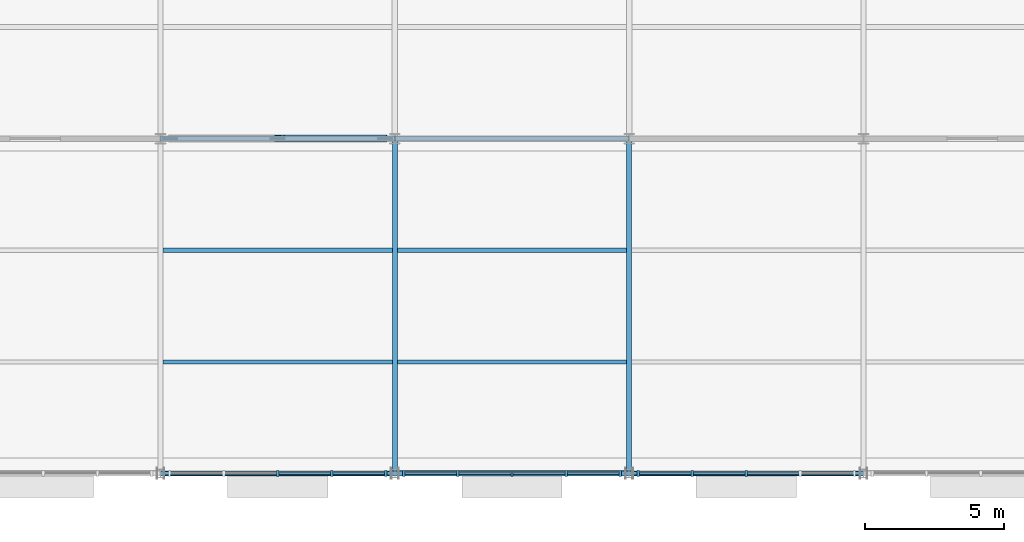
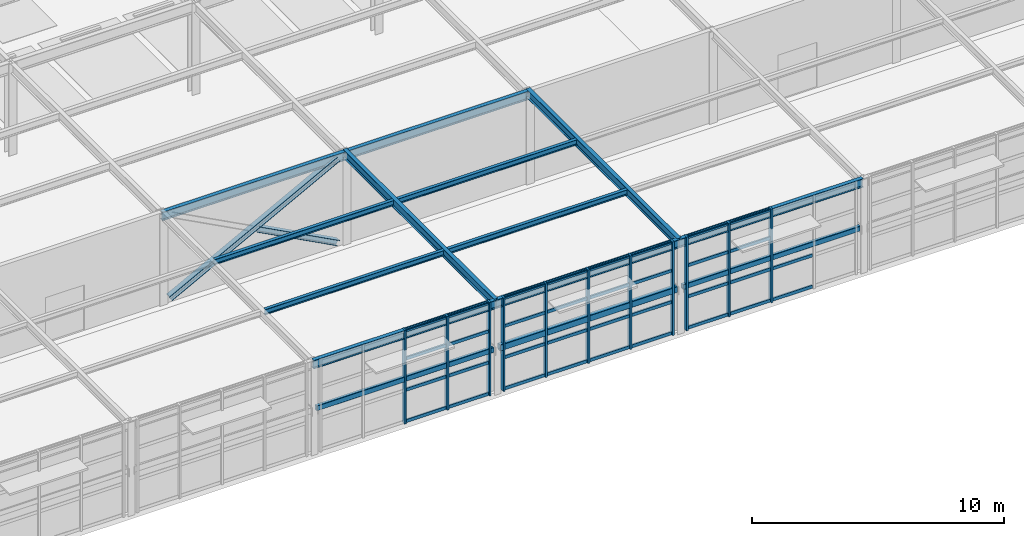
# One storey, part 21 of 82: 47 members, 14 beams, 3 elements without a shape of their own.
"""IFC4 building model written with IfcOpenShell, lengths in metres."""

from ifc_helpers import new_model, si_unit, direction, frame, origin, origin_2d, place, context, subcontext, project, spatial, rectangle, hollow_rectangle, i_section, extrude, material, layer, layer_set, material_profile, profile_set, type_object, element, aggregate, save


model = new_model("IFC4")

# Units and contexts
model_context = context("Model", 3, precision=1e-05, world=origin(), true_north=direction((0.0, 1.0)))
body_context = subcontext(model_context, "Body", "Model", "MODEL_VIEW")
ifc_project = project(units=[si_unit("LENGTHUNIT", "METRE"), si_unit("AREAUNIT", "SQUARE_METRE"), si_unit("VOLUMEUNIT", "CUBIC_METRE"), si_unit("PLANEANGLEUNIT", "RADIAN"), si_unit("MASSUNIT", "GRAM", prefix="KILO")], contexts=[model_context])

# Site, building, storey
site_placement = place(None, origin())
site = spatial("IfcSite", under=ifc_project, at=site_placement, CompositionType="ELEMENT")
building_placement = place(site_placement, origin())
building = spatial("IfcBuilding", under=site, at=building_placement, Name="Sitalva Quay Ferry Terminal", CompositionType="ELEMENT")
storey_placement = place(building_placement, frame((0.0, 0.0, 5.39990234375)))
storey = spatial("IfcBuildingStorey", under=building, at=storey_placement, Name="L02", CompositionType="ELEMENT", Elevation=5.39990234375)

# Beams
ifc_material_1 = material(Name="Structural Steel S355JR", Category="steel")
ifc_material_profile_1 = material_profile(ifc_material_1, i_section(OverallWidth=0.178955078125, OverallDepth=0.409912109375, WebThickness=0.0087890625, FlangeThickness=0.014404296875, FilletRadius=0.012939453125, at=origin_2d()), Name="W410x67")
ifc_profile_set_1 = profile_set([ifc_material_profile_1], Name="Structural Steel S355JR")
beam_type_1 = type_object("IfcBeamType", Name="Beam_W410x67", PredefinedType="BEAM", material=ifc_profile_set_1)
for number, where, z_axis, x_axis, name in (
    (1, (109.199951171875, 6.0, 4.335205078125), (0.0, 1.0, 0.0), (-1.0, 0.0, 0.0), "L02 Primary Y girder 0731"),
    (2, (117.60009765625, 6.0, 4.335205078125), (0.0, 1.0, 0.0), (-1.0, 0.0, 0.0), "L02 Primary Y girder 0732"),
):
    element("IfcBeam", number, at=place(storey_placement, frame(where, z_axis=z_axis, x_axis=x_axis)), inside=storey, type_object=beam_type_1, Name=name, PredefinedType="BEAM", context=body_context, shape_type="SweptSolid", body=[
        extrude(i_section(OverallWidth=0.178955078125, OverallDepth=0.409912109375, WebThickness=0.0087890625, FlangeThickness=0.014404296875, FilletRadius=0.012939453125, at=origin_2d()), origin(), (0.0, 0.0, 1.0), 12.0),
    ])
ifc_material_2 = material(Name="Structural Steel S355JR", Category="steel")
ifc_material_profile_2 = material_profile(ifc_material_2, i_section(OverallWidth=0.180908203125, OverallDepth=0.4169921875, WebThickness=0.010986328125, FlangeThickness=0.018310546875, FilletRadius=0.012939453125, at=origin_2d()), Name="W410x85")
ifc_profile_set_2 = profile_set([ifc_material_profile_2], Name="Structural Steel S355JR")
beam_type_2 = type_object("IfcBeamType", Name="Beam_W410x85", PredefinedType="BEAM", material=ifc_profile_set_2)
beam_1_placement = place(storey_placement, frame((100.800048828125, 6.0, 4.33154296875), z_axis=(1.0, 0.0, 0.0), x_axis=(0.0, 1.0, 0.0)))
element("IfcBeam", 3, at=beam_1_placement, inside=storey, type_object=beam_type_2, Name="L02 Primary X girder 0711", PredefinedType="BEAM", context=body_context, shape_type="SweptSolid", body=[
    extrude(i_section(OverallWidth=0.180908203125, OverallDepth=0.4169921875, WebThickness=0.010986328125, FlangeThickness=0.018310546875, FilletRadius=0.012939453125, at=origin_2d()), origin(), (0.0, 0.0, 1.0), 8.39990234375),
])
beam_2_placement = place(storey_placement, frame((109.199951171875, 6.0, 4.33154296875), z_axis=(1.0, 0.0, 0.0), x_axis=(0.0, 1.0, 0.0)))
element("IfcBeam", 4, at=beam_2_placement, inside=storey, type_object=beam_type_2, Name="L02 Primary X girder 0712", PredefinedType="BEAM", context=body_context, shape_type="SweptSolid", body=[
    extrude(i_section(OverallWidth=0.180908203125, OverallDepth=0.4169921875, WebThickness=0.010986328125, FlangeThickness=0.018310546875, FilletRadius=0.012939453125, at=origin_2d()), origin(), (0.0, 0.0, 1.0), 8.400146484375),
])
for number, where, z_axis, x_axis, name in (
    (5, (117.60009765625, 6.0, 4.33154296875), (1.0, 0.0, 0.0), (0.0, 1.0, 0.0), "L02 Primary X girder 0713"),
    (6, (100.800048828125, 18.0, 4.24169921875), (1.0, 0.0, 0.0), (0.0, 1.0, 0.0), "L02 Primary X girder 0721"),
):
    element("IfcBeam", number, at=place(storey_placement, frame(where, z_axis=z_axis, x_axis=x_axis)), inside=storey, type_object=beam_type_2, Name=name, PredefinedType="BEAM", context=body_context, shape_type="SweptSolid", body=[
        extrude(i_section(OverallWidth=0.180908203125, OverallDepth=0.4169921875, WebThickness=0.010986328125, FlangeThickness=0.018310546875, FilletRadius=0.012939453125, at=origin_2d()), origin(), (0.0, 0.0, 1.0), 8.39990234375),
    ])
beam_3_placement = place(storey_placement, frame((109.199951171875, 18.0, 4.24169921875), z_axis=(1.0, 0.0, 0.0), x_axis=(0.0, 1.0, 0.0)))
element("IfcBeam", 7, at=beam_3_placement, inside=storey, type_object=beam_type_2, Name="L02 Primary X girder 0722", PredefinedType="BEAM", context=body_context, shape_type="SweptSolid", body=[
    extrude(i_section(OverallWidth=0.180908203125, OverallDepth=0.4169921875, WebThickness=0.010986328125, FlangeThickness=0.018310546875, FilletRadius=0.012939453125, at=origin_2d()), origin(), (0.0, 0.0, 1.0), 8.400146484375),
])

# Members
ifc_material_3 = material(Name="Structural Steel S355JR", Category="steel")
ifc_material_profile_3 = material_profile(ifc_material_3, i_section(OverallWidth=0.25390625, OverallDepth=0.2529296875, WebThickness=0.008544921875, FlangeThickness=0.01416015625, FilletRadius=0.011962890625, at=origin_2d()), Name="W250x73")
ifc_profile_set_3 = profile_set([ifc_material_profile_3], Name="Structural Steel S355JR")
member_type_1 = type_object("IfcMemberType", Name="Brace_W250x73", PredefinedType="BRACE", material=ifc_profile_set_3)
member_1_placement = place(storey_placement, frame((101.14990234375, 18.0, 0.150146484375), z_axis=(0.883633172797, 0.0, 0.468179896976), x_axis=(0.0, 1.0, 0.0)))
element("IfcMember", 8, at=member_1_placement, inside=storey, type_object=member_type_1, Name="Braced frame BF8 L02 continuous X-brace A", PredefinedType="BRACE", context=body_context, shape_type="SweptSolid", body=[
    extrude(i_section(OverallWidth=0.25390625, OverallDepth=0.2529296875, WebThickness=0.008544921875, FlangeThickness=0.01416015625, FilletRadius=0.011962890625, at=origin_2d()), origin(), (0.0, 0.0, 1.0), 8.71435546875),
])
member_2_placement = place(storey_placement, frame((105.1767578125, 18.0, 2.096435546875), z_axis=(0.88363072778, 0.0, -0.468184511622), x_axis=(0.0, 1.0, 0.0)))
element("IfcMember", 9, at=member_2_placement, inside=storey, type_object=member_type_1, Name="Braced frame BF8 L02 split X-brace lower B2", PredefinedType="BRACE", context=body_context, shape_type="SweptSolid", body=[
    extrude(i_section(OverallWidth=0.25390625, OverallDepth=0.2529296875, WebThickness=0.008544921875, FlangeThickness=0.01416015625, FilletRadius=0.011962890625, at=origin_2d()), origin(), (0.0, 0.0, 1.0), 4.156982421875),
])

# Beams
ifc_material_4 = material(Name="Structural Steel S355JR", Category="steel")
ifc_material_profile_4 = material_profile(ifc_material_4, i_section(OverallWidth=0.14697265625, OverallDepth=0.261962890625, WebThickness=0.006591796875, FlangeThickness=0.01123046875, FilletRadius=0.010009765625, at=origin_2d()), Name="W250x39")
ifc_profile_set_4 = profile_set([ifc_material_profile_4], Name="Structural Steel S355JR")
beam_type_3 = type_object("IfcBeamType", Name="Joist_W250x39", PredefinedType="JOIST", material=ifc_profile_set_4)
beam_4_placement = place(storey_placement, frame((100.889404296875, 10.0, 4.4091796875), z_axis=(1.0, 0.0, 0.0), x_axis=(0.0, 1.0, 0.0)))
element("IfcBeam", 10, at=beam_4_placement, inside=storey, type_object=beam_type_3, Name="L02 Secondary joist 0741", PredefinedType="JOIST", context=body_context, shape_type="SweptSolid", body=[
    extrude(i_section(OverallWidth=0.14697265625, OverallDepth=0.261962890625, WebThickness=0.006591796875, FlangeThickness=0.01123046875, FilletRadius=0.010009765625, at=origin_2d()), origin(), (0.0, 0.0, 1.0), 8.22119140625),
])
beam_5_placement = place(storey_placement, frame((109.28955078125, 10.0, 4.4091796875), z_axis=(1.0, 0.0, 0.0), x_axis=(0.0, 1.0, 0.0)))
element("IfcBeam", 11, at=beam_5_placement, inside=storey, type_object=beam_type_3, Name="L02 Secondary joist 0742", PredefinedType="JOIST", context=body_context, shape_type="SweptSolid", body=[
    extrude(i_section(OverallWidth=0.14697265625, OverallDepth=0.261962890625, WebThickness=0.006591796875, FlangeThickness=0.01123046875, FilletRadius=0.010009765625, at=origin_2d()), origin(), (0.0, 0.0, 1.0), 8.220947265625),
])
beam_6_placement = place(storey_placement, frame((100.889404296875, 14.0, 4.4091796875), z_axis=(1.0, 0.0, 0.0), x_axis=(0.0, 1.0, 0.0)))
element("IfcBeam", 12, at=beam_6_placement, inside=storey, type_object=beam_type_3, Name="L02 Secondary joist 0751", PredefinedType="JOIST", context=body_context, shape_type="SweptSolid", body=[
    extrude(i_section(OverallWidth=0.14697265625, OverallDepth=0.261962890625, WebThickness=0.006591796875, FlangeThickness=0.01123046875, FilletRadius=0.010009765625, at=origin_2d()), origin(), (0.0, 0.0, 1.0), 8.22119140625),
])
beam_7_placement = place(storey_placement, frame((109.28955078125, 14.0, 4.4091796875), z_axis=(1.0, 0.0, 0.0), x_axis=(0.0, 1.0, 0.0)))
element("IfcBeam", 13, at=beam_7_placement, inside=storey, type_object=beam_type_3, Name="L02 Secondary joist 0752", PredefinedType="JOIST", context=body_context, shape_type="SweptSolid", body=[
    extrude(i_section(OverallWidth=0.14697265625, OverallDepth=0.261962890625, WebThickness=0.006591796875, FlangeThickness=0.01123046875, FilletRadius=0.010009765625, at=origin_2d()), origin(), (0.0, 0.0, 1.0), 8.220947265625),
])

# Curtain wall, members
ifc_material_5 = material(Name="Anodised Aluminium & Low-E Glazing", Category="aluminium")
ifc_layer = layer(ifc_material_5, 0.159912109375)
ifc_layer_set = layer_set([ifc_layer], Name="Anodised Aluminium & Low-E Glazing")
curtain_wall_type = type_object("IfcCurtainWallType", Name="CW_Concourse_Unitised", PredefinedType="USERDEFINED", material=ifc_layer_set)
curtain_wall_1_placement = place(storey_placement, origin())
curtain_wall_1 = element("IfcCurtainWall", 14, at=curtain_wall_1_placement, inside=storey, type_object=curtain_wall_type, Name="L02 waterfront boarding concourse glazing (CW-L02-062)", ObjectType="CURTAIN_WALL", PredefinedType="USERDEFINED")
ifc_material_6 = material(Name="Anodised Aluminium 6063-T6", Category="aluminium")
ifc_material_profile_5 = material_profile(ifc_material_6, rectangle(XDim=0.0849609375, YDim=0.2099609375, at=origin_2d()), Name="ALU85x210")
ifc_profile_set_5 = profile_set([ifc_material_profile_5], Name="Anodised Aluminium 6063-T6")
member_type_2 = type_object("IfcMemberType", Name="Mullion_Alu_85x210", PredefinedType="MULLION", material=ifc_profile_set_5)
member_3_placement = place(storey_placement, frame((105.0, 6.0, 0.0), z_axis=(0.0, 0.0, 1.0), x_axis=(1.0, 0.0, 0.0)))
member_3 = element("IfcMember", 15, at=member_3_placement, type_object=member_type_2, Name="CW-L02-062-M2", PredefinedType="MULLION", context=body_context, shape_type="SweptSolid", body=[
    extrude(rectangle(XDim=0.0849609375, YDim=0.2099609375, at=origin_2d()), origin(), (0.0, 0.0, 1.0), 4.5400390625),
])
member_4_placement = place(storey_placement, frame((106.93994140625, 6.0, 0.0), z_axis=(0.0, 0.0, 1.0), x_axis=(1.0, 0.0, 0.0)))
member_4 = element("IfcMember", 16, at=member_4_placement, type_object=member_type_2, Name="CW-L02-062-M3", PredefinedType="MULLION", context=body_context, shape_type="SweptSolid", body=[
    extrude(rectangle(XDim=0.0849609375, YDim=0.2099609375, at=origin_2d()), origin(), (0.0, 0.0, 1.0), 4.5400390625),
])
member_5_placement = place(storey_placement, frame((108.8798828125, 6.0, 0.0), z_axis=(0.0, 0.0, 1.0), x_axis=(1.0, 0.0, 0.0)))
member_5 = element("IfcMember", 17, at=member_5_placement, type_object=member_type_2, Name="CW-L02-062-M4", PredefinedType="MULLION", context=body_context, shape_type="SweptSolid", body=[
    extrude(rectangle(XDim=0.0849609375, YDim=0.2099609375, at=origin_2d()), origin(), (0.0, 0.0, 1.0), 4.5400390625),
])

curtain_wall_2_placement = place(storey_placement, origin())
curtain_wall_2 = element("IfcCurtainWall", 18, at=curtain_wall_2_placement, inside=storey, type_object=curtain_wall_type, Name="L02 waterfront boarding concourse glazing (CW-L02-063)", ObjectType="CURTAIN_WALL", PredefinedType="USERDEFINED")
member_6_placement = place(storey_placement, frame((109.52001953125, 6.0, 0.0), z_axis=(0.0, 0.0, 1.0), x_axis=(1.0, 0.0, 0.0)))
member_6 = element("IfcMember", 19, at=member_6_placement, type_object=member_type_2, Name="CW-L02-063-M0", PredefinedType="MULLION", context=body_context, shape_type="SweptSolid", body=[
    extrude(rectangle(XDim=0.0849609375, YDim=0.2099609375, at=origin_2d()), origin(), (0.0, 0.0, 1.0), 4.5400390625),
])
member_7_placement = place(storey_placement, frame((111.4599609375, 6.0, 0.0), z_axis=(0.0, 0.0, 1.0), x_axis=(1.0, 0.0, 0.0)))
member_7 = element("IfcMember", 20, at=member_7_placement, type_object=member_type_2, Name="CW-L02-063-M1", PredefinedType="MULLION", context=body_context, shape_type="SweptSolid", body=[
    extrude(rectangle(XDim=0.0849609375, YDim=0.2099609375, at=origin_2d()), origin(), (0.0, 0.0, 1.0), 4.5400390625),
])
member_8_placement = place(storey_placement, frame((113.39990234375, 6.0, 0.0), z_axis=(0.0, 0.0, 1.0), x_axis=(1.0, 0.0, 0.0)))
member_8 = element("IfcMember", 21, at=member_8_placement, type_object=member_type_2, Name="CW-L02-063-M2", PredefinedType="MULLION", context=body_context, shape_type="SweptSolid", body=[
    extrude(rectangle(XDim=0.0849609375, YDim=0.2099609375, at=origin_2d()), origin(), (0.0, 0.0, 1.0), 4.5400390625),
])
member_9_placement = place(storey_placement, frame((115.340087890625, 6.0, 0.0), z_axis=(0.0, 0.0, 1.0), x_axis=(1.0, 0.0, 0.0)))
member_9 = element("IfcMember", 22, at=member_9_placement, type_object=member_type_2, Name="CW-L02-063-M3", PredefinedType="MULLION", context=body_context, shape_type="SweptSolid", body=[
    extrude(rectangle(XDim=0.0849609375, YDim=0.2099609375, at=origin_2d()), origin(), (0.0, 0.0, 1.0), 4.5400390625),
])
member_10_placement = place(storey_placement, frame((117.280029296875, 6.0, 0.0), z_axis=(0.0, 0.0, 1.0), x_axis=(1.0, 0.0, 0.0)))
member_10 = element("IfcMember", 23, at=member_10_placement, type_object=member_type_2, Name="CW-L02-063-M4", PredefinedType="MULLION", context=body_context, shape_type="SweptSolid", body=[
    extrude(rectangle(XDim=0.0849609375, YDim=0.2099609375, at=origin_2d()), origin(), (0.0, 0.0, 1.0), 4.5400390625),
])

curtain_wall_3_placement = place(storey_placement, origin())
curtain_wall_3 = element("IfcCurtainWall", 24, at=curtain_wall_3_placement, inside=storey, type_object=curtain_wall_type, Name="L02 waterfront boarding concourse glazing (CW-L02-065)", ObjectType="CURTAIN_WALL", PredefinedType="USERDEFINED")
member_11_placement = place(storey_placement, frame((117.919921875, 6.0, 0.0), z_axis=(0.0, 0.0, 1.0), x_axis=(1.0, 0.0, 0.0)))
member_11 = element("IfcMember", 25, at=member_11_placement, type_object=member_type_2, Name="CW-L02-065-M0", PredefinedType="MULLION", context=body_context, shape_type="SweptSolid", body=[
    extrude(rectangle(XDim=0.0849609375, YDim=0.2099609375, at=origin_2d()), origin(), (0.0, 0.0, 1.0), 4.5400390625),
])
member_12_placement = place(storey_placement, frame((119.860107421875, 6.0, 0.0), z_axis=(0.0, 0.0, 1.0), x_axis=(1.0, 0.0, 0.0)))
member_12 = element("IfcMember", 26, at=member_12_placement, type_object=member_type_2, Name="CW-L02-065-M1", PredefinedType="MULLION", context=body_context, shape_type="SweptSolid", body=[
    extrude(rectangle(XDim=0.0849609375, YDim=0.2099609375, at=origin_2d()), origin(), (0.0, 0.0, 1.0), 4.5400390625),
])
member_13_placement = place(storey_placement, frame((121.800048828125, 6.0, 0.0), z_axis=(0.0, 0.0, 1.0), x_axis=(1.0, 0.0, 0.0)))
member_13 = element("IfcMember", 27, at=member_13_placement, type_object=member_type_2, Name="CW-L02-065-M2", PredefinedType="MULLION", context=body_context, shape_type="SweptSolid", body=[
    extrude(rectangle(XDim=0.0849609375, YDim=0.2099609375, at=origin_2d()), origin(), (0.0, 0.0, 1.0), 4.5400390625),
])

# Beams
ifc_material_7 = material(Name="Structural Steel S355JR", Category="steel")
ifc_material_profile_6 = material_profile(ifc_material_7, hollow_rectangle(XDim=0.14990234375, YDim=0.25, WallThickness=0.010009765625, InnerFilletRadius=0.010009765625, OuterFilletRadius=0.02001953125, at=origin_2d()), Name="RHS250x150x10")
ifc_profile_set_6 = profile_set([ifc_material_profile_6], Name="Structural Steel S355JR")
beam_type_4 = type_object("IfcBeamType", Name="Spandrel_RHS250x150", PredefinedType="SPANDREL", material=ifc_profile_set_6)
for number, where, z_axis, x_axis, name in (
    (28, (100.93994140625, 6.0, 2.150146484375), (1.0, 0.0, 0.0), (0.0, 1.0, 0.0), "Promenade facade spandrel 03"),
    (29, (117.739990234375, 6.0, 2.150146484375), (1.0, 0.0, 0.0), (0.0, 1.0, 0.0), "Promenade facade spandrel 05"),
):
    element("IfcBeam", number, at=place(storey_placement, frame(where, z_axis=z_axis, x_axis=x_axis)), inside=storey, type_object=beam_type_4, Name=name, PredefinedType="SPANDREL", context=body_context, shape_type="SweptSolid", body=[
        extrude(hollow_rectangle(XDim=0.14990234375, YDim=0.25, WallThickness=0.010009765625, InnerFilletRadius=0.010009765625, OuterFilletRadius=0.02001953125, at=origin_2d()), origin(), (0.0, 0.0, 1.0), 8.1201171875),
    ])
ifc_material_8 = material(Name="Structural Steel S355JR", Category="steel")
ifc_material_profile_7 = material_profile(ifc_material_8, hollow_rectangle(XDim=0.199951171875, YDim=0.300048828125, WallThickness=0.012451171875, InnerFilletRadius=0.012451171875, OuterFilletRadius=0.02490234375, at=origin_2d()), Name="RHS300x200x12.5")
ifc_profile_set_7 = profile_set([ifc_material_profile_7], Name="Structural Steel S355JR")
beam_type_5 = type_object("IfcBeamType", Name="Spandrel_RHS300x200", PredefinedType="SPANDREL", material=ifc_profile_set_7)
beam_8_placement = place(storey_placement, frame((109.340087890625, 6.0, 2.150146484375), z_axis=(1.0, 0.0, 0.0), x_axis=(0.0, 1.0, 0.0)))
element("IfcBeam", 30, at=beam_8_placement, inside=storey, type_object=beam_type_5, Name="Promenade facade spandrel 04", PredefinedType="SPANDREL", context=body_context, shape_type="SweptSolid", body=[
    extrude(hollow_rectangle(XDim=0.199951171875, YDim=0.300048828125, WallThickness=0.012451171875, InnerFilletRadius=0.012451171875, OuterFilletRadius=0.02490234375, at=origin_2d()), origin(), (0.0, 0.0, 1.0), 8.119873046875),
])

# Member
ifc_material_9 = material(Name="Anodised Aluminium 6063-T6", Category="aluminium")
ifc_material_profile_8 = material_profile(ifc_material_9, rectangle(XDim=0.074951171875, YDim=0.14990234375, at=origin_2d()), Name="ALU75x150")
ifc_profile_set_8 = profile_set([ifc_material_profile_8], Name="Anodised Aluminium 6063-T6")
member_type_3 = type_object("IfcMemberType", Name="Transom_Alu_75x140", PredefinedType="MULLION", material=ifc_profile_set_8)
member_14_placement = place(storey_placement, frame((105.04248046875, 6.0, 0.0751953125), z_axis=(1.0, 0.0, 0.0), x_axis=(0.0, 1.0, 0.0)))
member_14 = element("IfcMember", 31, at=member_14_placement, type_object=member_type_3, Name="CW-L02-062-T2-0", ObjectType="TRANSOM", PredefinedType="USERDEFINED", context=body_context, shape_type="SweptSolid", body=[
    extrude(rectangle(XDim=0.074951171875, YDim=0.14990234375, at=origin_2d()), origin(), (0.0, 0.0, 1.0), 1.85498046875),
])

member_15_placement = place(storey_placement, frame((105.04248046875, 6.0, 1.58837890625), z_axis=(1.0, 0.0, 0.0), x_axis=(0.0, 1.0, 0.0)))
member_15 = element("IfcMember", 32, at=member_15_placement, type_object=member_type_3, Name="CW-L02-062-T2-1", ObjectType="TRANSOM", PredefinedType="USERDEFINED", context=body_context, shape_type="SweptSolid", body=[
    extrude(rectangle(XDim=0.074951171875, YDim=0.14990234375, at=origin_2d()), origin(), (0.0, 0.0, 1.0), 1.85498046875),
])

member_16_placement = place(storey_placement, frame((105.04248046875, 6.0, 3.101806640625), z_axis=(1.0, 0.0, 0.0), x_axis=(0.0, 1.0, 0.0)))
member_16 = element("IfcMember", 33, at=member_16_placement, type_object=member_type_3, Name="CW-L02-062-T2-2", ObjectType="TRANSOM", PredefinedType="USERDEFINED", context=body_context, shape_type="SweptSolid", body=[
    extrude(rectangle(XDim=0.074951171875, YDim=0.14990234375, at=origin_2d()), origin(), (0.0, 0.0, 1.0), 1.85498046875),
])

member_17_placement = place(storey_placement, frame((105.04248046875, 6.0, 4.465087890625), z_axis=(1.0, 0.0, 0.0), x_axis=(0.0, 1.0, 0.0)))
member_17 = element("IfcMember", 34, at=member_17_placement, type_object=member_type_3, Name="CW-L02-062-T2-3", ObjectType="TRANSOM", PredefinedType="USERDEFINED", context=body_context, shape_type="SweptSolid", body=[
    extrude(rectangle(XDim=0.074951171875, YDim=0.14990234375, at=origin_2d()), origin(), (0.0, 0.0, 1.0), 1.85498046875),
])

member_18_placement = place(storey_placement, frame((106.982421875, 6.0, 0.0751953125), z_axis=(1.0, 0.0, 0.0), x_axis=(0.0, 1.0, 0.0)))
member_18 = element("IfcMember", 35, at=member_18_placement, type_object=member_type_3, Name="CW-L02-062-T3-0", ObjectType="TRANSOM", PredefinedType="USERDEFINED", context=body_context, shape_type="SweptSolid", body=[
    extrude(rectangle(XDim=0.074951171875, YDim=0.14990234375, at=origin_2d()), origin(), (0.0, 0.0, 1.0), 1.85498046875),
])

member_19_placement = place(storey_placement, frame((106.982421875, 6.0, 1.58837890625), z_axis=(1.0, 0.0, 0.0), x_axis=(0.0, 1.0, 0.0)))
member_19 = element("IfcMember", 36, at=member_19_placement, type_object=member_type_3, Name="CW-L02-062-T3-1", ObjectType="TRANSOM", PredefinedType="USERDEFINED", context=body_context, shape_type="SweptSolid", body=[
    extrude(rectangle(XDim=0.074951171875, YDim=0.14990234375, at=origin_2d()), origin(), (0.0, 0.0, 1.0), 1.85498046875),
])

member_20_placement = place(storey_placement, frame((106.982421875, 6.0, 3.101806640625), z_axis=(1.0, 0.0, 0.0), x_axis=(0.0, 1.0, 0.0)))
member_20 = element("IfcMember", 37, at=member_20_placement, type_object=member_type_3, Name="CW-L02-062-T3-2", ObjectType="TRANSOM", PredefinedType="USERDEFINED", context=body_context, shape_type="SweptSolid", body=[
    extrude(rectangle(XDim=0.074951171875, YDim=0.14990234375, at=origin_2d()), origin(), (0.0, 0.0, 1.0), 1.85498046875),
])

member_21_placement = place(storey_placement, frame((106.982421875, 6.0, 4.465087890625), z_axis=(1.0, 0.0, 0.0), x_axis=(0.0, 1.0, 0.0)))
member_21 = element("IfcMember", 38, at=member_21_placement, type_object=member_type_3, Name="CW-L02-062-T3-3", ObjectType="TRANSOM", PredefinedType="USERDEFINED", context=body_context, shape_type="SweptSolid", body=[
    extrude(rectangle(XDim=0.074951171875, YDim=0.14990234375, at=origin_2d()), origin(), (0.0, 0.0, 1.0), 1.85498046875),
])

aggregate(curtain_wall_1, [member_3, member_4, member_5, member_14, member_15, member_16, member_17, member_18, member_19, member_20, member_21])

member_22_placement = place(storey_placement, frame((109.5625, 6.0, 0.0751953125), z_axis=(1.0, 0.0, 0.0), x_axis=(0.0, 1.0, 0.0)))
member_22 = element("IfcMember", 39, at=member_22_placement, type_object=member_type_3, Name="CW-L02-063-T0-0", ObjectType="TRANSOM", PredefinedType="USERDEFINED", context=body_context, shape_type="SweptSolid", body=[
    extrude(rectangle(XDim=0.074951171875, YDim=0.14990234375, at=origin_2d()), origin(), (0.0, 0.0, 1.0), 1.85498046875),
])

member_23_placement = place(storey_placement, frame((109.5625, 6.0, 1.58837890625), z_axis=(1.0, 0.0, 0.0), x_axis=(0.0, 1.0, 0.0)))
member_23 = element("IfcMember", 40, at=member_23_placement, type_object=member_type_3, Name="CW-L02-063-T0-1", ObjectType="TRANSOM", PredefinedType="USERDEFINED", context=body_context, shape_type="SweptSolid", body=[
    extrude(rectangle(XDim=0.074951171875, YDim=0.14990234375, at=origin_2d()), origin(), (0.0, 0.0, 1.0), 1.85498046875),
])

member_24_placement = place(storey_placement, frame((109.5625, 6.0, 3.101806640625), z_axis=(1.0, 0.0, 0.0), x_axis=(0.0, 1.0, 0.0)))
member_24 = element("IfcMember", 41, at=member_24_placement, type_object=member_type_3, Name="CW-L02-063-T0-2", ObjectType="TRANSOM", PredefinedType="USERDEFINED", context=body_context, shape_type="SweptSolid", body=[
    extrude(rectangle(XDim=0.074951171875, YDim=0.14990234375, at=origin_2d()), origin(), (0.0, 0.0, 1.0), 1.85498046875),
])

member_25_placement = place(storey_placement, frame((109.5625, 6.0, 4.465087890625), z_axis=(1.0, 0.0, 0.0), x_axis=(0.0, 1.0, 0.0)))
member_25 = element("IfcMember", 42, at=member_25_placement, type_object=member_type_3, Name="CW-L02-063-T0-3", ObjectType="TRANSOM", PredefinedType="USERDEFINED", context=body_context, shape_type="SweptSolid", body=[
    extrude(rectangle(XDim=0.074951171875, YDim=0.14990234375, at=origin_2d()), origin(), (0.0, 0.0, 1.0), 1.85498046875),
])

member_26_placement = place(storey_placement, frame((111.50244140625, 6.0, 0.0751953125), z_axis=(1.0, 0.0, 0.0), x_axis=(0.0, 1.0, 0.0)))
member_26 = element("IfcMember", 43, at=member_26_placement, type_object=member_type_3, Name="CW-L02-063-T1-0", ObjectType="TRANSOM", PredefinedType="USERDEFINED", context=body_context, shape_type="SweptSolid", body=[
    extrude(rectangle(XDim=0.074951171875, YDim=0.14990234375, at=origin_2d()), origin(), (0.0, 0.0, 1.0), 1.85498046875),
])

member_27_placement = place(storey_placement, frame((111.50244140625, 6.0, 1.58837890625), z_axis=(1.0, 0.0, 0.0), x_axis=(0.0, 1.0, 0.0)))
member_27 = element("IfcMember", 44, at=member_27_placement, type_object=member_type_3, Name="CW-L02-063-T1-1", ObjectType="TRANSOM", PredefinedType="USERDEFINED", context=body_context, shape_type="SweptSolid", body=[
    extrude(rectangle(XDim=0.074951171875, YDim=0.14990234375, at=origin_2d()), origin(), (0.0, 0.0, 1.0), 1.85498046875),
])

member_28_placement = place(storey_placement, frame((111.50244140625, 6.0, 3.101806640625), z_axis=(1.0, 0.0, 0.0), x_axis=(0.0, 1.0, 0.0)))
member_28 = element("IfcMember", 45, at=member_28_placement, type_object=member_type_3, Name="CW-L02-063-T1-2", ObjectType="TRANSOM", PredefinedType="USERDEFINED", context=body_context, shape_type="SweptSolid", body=[
    extrude(rectangle(XDim=0.074951171875, YDim=0.14990234375, at=origin_2d()), origin(), (0.0, 0.0, 1.0), 1.85498046875),
])

member_29_placement = place(storey_placement, frame((111.50244140625, 6.0, 4.465087890625), z_axis=(1.0, 0.0, 0.0), x_axis=(0.0, 1.0, 0.0)))
member_29 = element("IfcMember", 46, at=member_29_placement, type_object=member_type_3, Name="CW-L02-063-T1-3", ObjectType="TRANSOM", PredefinedType="USERDEFINED", context=body_context, shape_type="SweptSolid", body=[
    extrude(rectangle(XDim=0.074951171875, YDim=0.14990234375, at=origin_2d()), origin(), (0.0, 0.0, 1.0), 1.85498046875),
])

member_30_placement = place(storey_placement, frame((113.4423828125, 6.0, 0.0751953125), z_axis=(1.0, 0.0, 0.0), x_axis=(0.0, 1.0, 0.0)))
member_30 = element("IfcMember", 47, at=member_30_placement, type_object=member_type_3, Name="CW-L02-063-T2-0", ObjectType="TRANSOM", PredefinedType="USERDEFINED", context=body_context, shape_type="SweptSolid", body=[
    extrude(rectangle(XDim=0.074951171875, YDim=0.14990234375, at=origin_2d()), origin(), (0.0, 0.0, 1.0), 1.855224609375),
])

member_31_placement = place(storey_placement, frame((113.4423828125, 6.0, 1.58837890625), z_axis=(1.0, 0.0, 0.0), x_axis=(0.0, 1.0, 0.0)))
member_31 = element("IfcMember", 48, at=member_31_placement, type_object=member_type_3, Name="CW-L02-063-T2-1", ObjectType="TRANSOM", PredefinedType="USERDEFINED", context=body_context, shape_type="SweptSolid", body=[
    extrude(rectangle(XDim=0.074951171875, YDim=0.14990234375, at=origin_2d()), origin(), (0.0, 0.0, 1.0), 1.855224609375),
])

member_32_placement = place(storey_placement, frame((113.4423828125, 6.0, 3.101806640625), z_axis=(1.0, 0.0, 0.0), x_axis=(0.0, 1.0, 0.0)))
member_32 = element("IfcMember", 49, at=member_32_placement, type_object=member_type_3, Name="CW-L02-063-T2-2", ObjectType="TRANSOM", PredefinedType="USERDEFINED", context=body_context, shape_type="SweptSolid", body=[
    extrude(rectangle(XDim=0.074951171875, YDim=0.14990234375, at=origin_2d()), origin(), (0.0, 0.0, 1.0), 1.855224609375),
])

member_33_placement = place(storey_placement, frame((113.4423828125, 6.0, 4.465087890625), z_axis=(1.0, 0.0, 0.0), x_axis=(0.0, 1.0, 0.0)))
member_33 = element("IfcMember", 50, at=member_33_placement, type_object=member_type_3, Name="CW-L02-063-T2-3", ObjectType="TRANSOM", PredefinedType="USERDEFINED", context=body_context, shape_type="SweptSolid", body=[
    extrude(rectangle(XDim=0.074951171875, YDim=0.14990234375, at=origin_2d()), origin(), (0.0, 0.0, 1.0), 1.855224609375),
])

member_34_placement = place(storey_placement, frame((115.382568359375, 6.0, 0.0751953125), z_axis=(1.0, 0.0, 0.0), x_axis=(0.0, 1.0, 0.0)))
member_34 = element("IfcMember", 51, at=member_34_placement, type_object=member_type_3, Name="CW-L02-063-T3-0", ObjectType="TRANSOM", PredefinedType="USERDEFINED", context=body_context, shape_type="SweptSolid", body=[
    extrude(rectangle(XDim=0.074951171875, YDim=0.14990234375, at=origin_2d()), origin(), (0.0, 0.0, 1.0), 1.85498046875),
])

member_35_placement = place(storey_placement, frame((115.382568359375, 6.0, 1.58837890625), z_axis=(1.0, 0.0, 0.0), x_axis=(0.0, 1.0, 0.0)))
member_35 = element("IfcMember", 52, at=member_35_placement, type_object=member_type_3, Name="CW-L02-063-T3-1", ObjectType="TRANSOM", PredefinedType="USERDEFINED", context=body_context, shape_type="SweptSolid", body=[
    extrude(rectangle(XDim=0.074951171875, YDim=0.14990234375, at=origin_2d()), origin(), (0.0, 0.0, 1.0), 1.85498046875),
])

member_36_placement = place(storey_placement, frame((115.382568359375, 6.0, 3.101806640625), z_axis=(1.0, 0.0, 0.0), x_axis=(0.0, 1.0, 0.0)))
member_36 = element("IfcMember", 53, at=member_36_placement, type_object=member_type_3, Name="CW-L02-063-T3-2", ObjectType="TRANSOM", PredefinedType="USERDEFINED", context=body_context, shape_type="SweptSolid", body=[
    extrude(rectangle(XDim=0.074951171875, YDim=0.14990234375, at=origin_2d()), origin(), (0.0, 0.0, 1.0), 1.85498046875),
])

member_37_placement = place(storey_placement, frame((115.382568359375, 6.0, 4.465087890625), z_axis=(1.0, 0.0, 0.0), x_axis=(0.0, 1.0, 0.0)))
member_37 = element("IfcMember", 54, at=member_37_placement, type_object=member_type_3, Name="CW-L02-063-T3-3", ObjectType="TRANSOM", PredefinedType="USERDEFINED", context=body_context, shape_type="SweptSolid", body=[
    extrude(rectangle(XDim=0.074951171875, YDim=0.14990234375, at=origin_2d()), origin(), (0.0, 0.0, 1.0), 1.85498046875),
])

aggregate(curtain_wall_2, [member_6, member_7, member_8, member_9, member_10, member_22, member_23, member_24, member_25, member_26, member_27, member_28, member_29, member_30, member_31, member_32, member_33, member_34, member_35, member_36, member_37])

member_38_placement = place(storey_placement, frame((117.96240234375, 6.0, 0.0751953125), z_axis=(1.0, 0.0, 0.0), x_axis=(0.0, 1.0, 0.0)))
member_38 = element("IfcMember", 55, at=member_38_placement, type_object=member_type_3, Name="CW-L02-065-T0-0", ObjectType="TRANSOM", PredefinedType="USERDEFINED", context=body_context, shape_type="SweptSolid", body=[
    extrude(rectangle(XDim=0.074951171875, YDim=0.14990234375, at=origin_2d()), origin(), (0.0, 0.0, 1.0), 1.85498046875),
])

member_39_placement = place(storey_placement, frame((117.96240234375, 6.0, 1.58837890625), z_axis=(1.0, 0.0, 0.0), x_axis=(0.0, 1.0, 0.0)))
member_39 = element("IfcMember", 56, at=member_39_placement, type_object=member_type_3, Name="CW-L02-065-T0-1", ObjectType="TRANSOM", PredefinedType="USERDEFINED", context=body_context, shape_type="SweptSolid", body=[
    extrude(rectangle(XDim=0.074951171875, YDim=0.14990234375, at=origin_2d()), origin(), (0.0, 0.0, 1.0), 1.85498046875),
])

member_40_placement = place(storey_placement, frame((117.96240234375, 6.0, 3.101806640625), z_axis=(1.0, 0.0, 0.0), x_axis=(0.0, 1.0, 0.0)))
member_40 = element("IfcMember", 57, at=member_40_placement, type_object=member_type_3, Name="CW-L02-065-T0-2", ObjectType="TRANSOM", PredefinedType="USERDEFINED", context=body_context, shape_type="SweptSolid", body=[
    extrude(rectangle(XDim=0.074951171875, YDim=0.14990234375, at=origin_2d()), origin(), (0.0, 0.0, 1.0), 1.85498046875),
])

member_41_placement = place(storey_placement, frame((117.96240234375, 6.0, 4.465087890625), z_axis=(1.0, 0.0, 0.0), x_axis=(0.0, 1.0, 0.0)))
member_41 = element("IfcMember", 58, at=member_41_placement, type_object=member_type_3, Name="CW-L02-065-T0-3", ObjectType="TRANSOM", PredefinedType="USERDEFINED", context=body_context, shape_type="SweptSolid", body=[
    extrude(rectangle(XDim=0.074951171875, YDim=0.14990234375, at=origin_2d()), origin(), (0.0, 0.0, 1.0), 1.85498046875),
])

member_42_placement = place(storey_placement, frame((119.902587890625, 6.0, 0.0751953125), z_axis=(1.0, 0.0, 0.0), x_axis=(0.0, 1.0, 0.0)))
member_42 = element("IfcMember", 59, at=member_42_placement, type_object=member_type_3, Name="CW-L02-065-T1-0", ObjectType="TRANSOM", PredefinedType="USERDEFINED", context=body_context, shape_type="SweptSolid", body=[
    extrude(rectangle(XDim=0.074951171875, YDim=0.14990234375, at=origin_2d()), origin(), (0.0, 0.0, 1.0), 1.85498046875),
])

member_43_placement = place(storey_placement, frame((119.902587890625, 6.0, 1.58837890625), z_axis=(1.0, 0.0, 0.0), x_axis=(0.0, 1.0, 0.0)))
member_43 = element("IfcMember", 60, at=member_43_placement, type_object=member_type_3, Name="CW-L02-065-T1-1", ObjectType="TRANSOM", PredefinedType="USERDEFINED", context=body_context, shape_type="SweptSolid", body=[
    extrude(rectangle(XDim=0.074951171875, YDim=0.14990234375, at=origin_2d()), origin(), (0.0, 0.0, 1.0), 1.85498046875),
])

member_44_placement = place(storey_placement, frame((119.902587890625, 6.0, 3.101806640625), z_axis=(1.0, 0.0, 0.0), x_axis=(0.0, 1.0, 0.0)))
member_44 = element("IfcMember", 61, at=member_44_placement, type_object=member_type_3, Name="CW-L02-065-T1-2", ObjectType="TRANSOM", PredefinedType="USERDEFINED", context=body_context, shape_type="SweptSolid", body=[
    extrude(rectangle(XDim=0.074951171875, YDim=0.14990234375, at=origin_2d()), origin(), (0.0, 0.0, 1.0), 1.85498046875),
])

member_45_placement = place(storey_placement, frame((119.902587890625, 6.0, 4.465087890625), z_axis=(1.0, 0.0, 0.0), x_axis=(0.0, 1.0, 0.0)))
member_45 = element("IfcMember", 62, at=member_45_placement, type_object=member_type_3, Name="CW-L02-065-T1-3", ObjectType="TRANSOM", PredefinedType="USERDEFINED", context=body_context, shape_type="SweptSolid", body=[
    extrude(rectangle(XDim=0.074951171875, YDim=0.14990234375, at=origin_2d()), origin(), (0.0, 0.0, 1.0), 1.85498046875),
])

member_46_placement = place(storey_placement, frame((121.842529296875, 6.0, 0.0751953125), z_axis=(1.0, 0.0, 0.0), x_axis=(0.0, 1.0, 0.0)))
member_46 = element("IfcMember", 63, at=member_46_placement, type_object=member_type_3, Name="CW-L02-065-T2-0", ObjectType="TRANSOM", PredefinedType="USERDEFINED", context=body_context, shape_type="SweptSolid", body=[
    extrude(rectangle(XDim=0.074951171875, YDim=0.14990234375, at=origin_2d()), origin(), (0.0, 0.0, 1.0), 1.85498046875),
])

member_47_placement = place(storey_placement, frame((121.842529296875, 6.0, 1.58837890625), z_axis=(1.0, 0.0, 0.0), x_axis=(0.0, 1.0, 0.0)))
member_47 = element("IfcMember", 64, at=member_47_placement, type_object=member_type_3, Name="CW-L02-065-T2-1", ObjectType="TRANSOM", PredefinedType="USERDEFINED", context=body_context, shape_type="SweptSolid", body=[
    extrude(rectangle(XDim=0.074951171875, YDim=0.14990234375, at=origin_2d()), origin(), (0.0, 0.0, 1.0), 1.85498046875),
])

aggregate(curtain_wall_3, [member_11, member_12, member_13, member_38, member_39, member_40, member_41, member_42, member_43, member_44, member_45, member_46, member_47])

save(model, "model.ifc")
